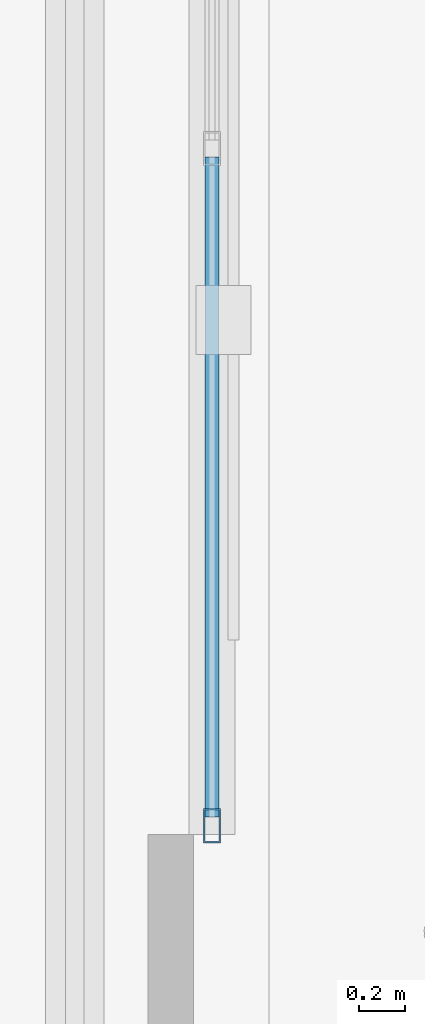
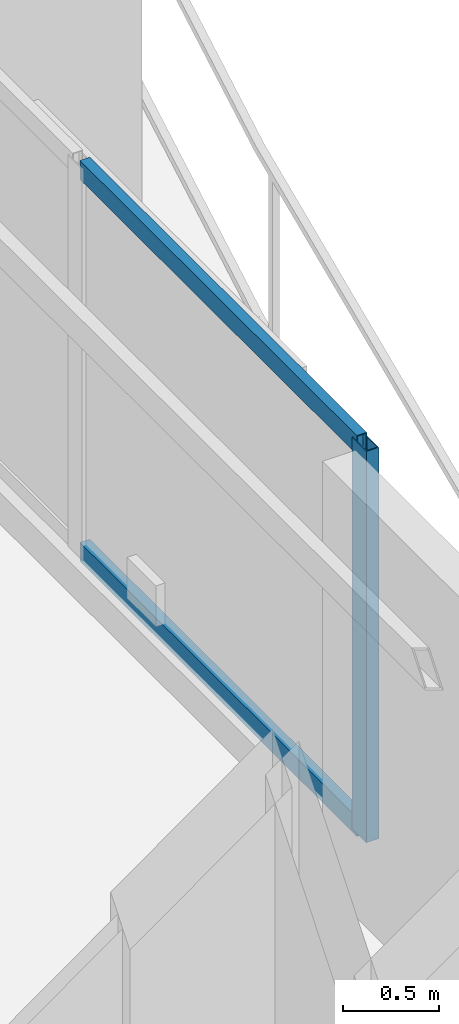
# One storey, part 6 of 22: 3 members, 1 element without a shape of its own.
"""IFC4 building model written with IfcOpenShell, lengths in metres."""

from ifc_helpers import new_model, si_unit, direction, frame, origin, origin_2d, place, context, subcontext, project, spatial, hollow_rectangle, extrude, material, layer, layer_set, material_profile, profile_set, type_object, element, aggregate, save


model = new_model("IFC4")

# Units and contexts
model_context = context("Model", 3, precision=1e-05, world=origin(), true_north=direction((0.0, 1.0)))
body_context = subcontext(model_context, "Body", "Model", "MODEL_VIEW")
ifc_project = project(units=[si_unit("LENGTHUNIT", "METRE"), si_unit("AREAUNIT", "SQUARE_METRE"), si_unit("VOLUMEUNIT", "CUBIC_METRE"), si_unit("PLANEANGLEUNIT", "RADIAN"), si_unit("MASSUNIT", "GRAM", prefix="KILO")], contexts=[model_context])

# Site, building, storey
site_placement = place(None, origin())
site = spatial("IfcSite", under=ifc_project, at=site_placement, CompositionType="ELEMENT")
building_placement = place(site_placement, origin())
building = spatial("IfcBuilding", under=site, at=building_placement, Name="Mersakhor Tower and Convention Hall", CompositionType="ELEMENT")
storey_placement = place(building_placement, frame((0.0, 0.0, 208.5)))
storey = spatial("IfcBuildingStorey", under=building, at=storey_placement, Name="L58", CompositionType="ELEMENT", Elevation=208.5)

# Curtain wall, members
ifc_material_1 = material(Name="Dark solar low-E aluminium curtain wall", Category="aluminium")
ifc_layer = layer(ifc_material_1, 0.169921875)
ifc_layer_set = layer_set([ifc_layer], Name="Dark solar low-E aluminium curtain wall")
curtain_wall_type = type_object("IfcCurtainWallType", Name="CW-SYS-02", PredefinedType="USERDEFINED", material=ifc_layer_set)
curtain_wall_placement = place(storey_placement, origin())
curtain_wall = element("IfcCurtainWall", 1, at=curtain_wall_placement, inside=storey, type_object=curtain_wall_type, Name="L58 Dark-Glass Curtain Wall F2-B2", ObjectType="CURTAIN WALL", PredefinedType="USERDEFINED")
ifc_material_2 = material(Name="Anodised aluminium EN AW-6063 T6", Category="aluminium")
ifc_material_profile_1 = material_profile(ifc_material_2, hollow_rectangle(XDim=0.074951171875, YDim=0.14990234375, WallThickness=0.00634765625, at=origin_2d()), Name="RHS 150x75x6.3")
ifc_profile_set_1 = profile_set([ifc_material_profile_1], Name="Anodised aluminium EN AW-6063 T6")
member_type_1 = type_object("IfcMemberType", Name="CWM-150x75", PredefinedType="MULLION", material=ifc_profile_set_1)
member_1_placement = place(storey_placement, frame((40.58837890625, 22.2880859375, 0.199951171875), z_axis=(0.0, 0.0, 1.0), x_axis=(1.0, 0.0, 0.0)))
member_1 = element("IfcMember", 2, at=member_1_placement, type_object=member_type_1, Name="CW-02 mullion 4", PredefinedType="MULLION", context=body_context, shape_type="SweptSolid", body=[
    extrude(hollow_rectangle(XDim=0.074951171875, YDim=0.14990234375, WallThickness=0.00634765625, at=origin_2d()), origin(), (0.0, 0.0, 1.0), 2.489990234375),
])
ifc_material_3 = material(Name="Anodised aluminium EN AW-6063 T6", Category="aluminium")
ifc_material_profile_2 = material_profile(ifc_material_3, hollow_rectangle(XDim=0.06005859375, YDim=0.1201171875, WallThickness=0.0048828125, at=origin_2d()), Name="RHS 120x60x5")
ifc_profile_set_2 = profile_set([ifc_material_profile_2], Name="Anodised aluminium EN AW-6063 T6")
member_type_2 = type_object("IfcMemberType", Name="CWT-120x60", PredefinedType="USERDEFINED", material=ifc_profile_set_2)
member_2_placement = place(storey_placement, frame((40.58837890625, 25.212646484375, 0.22998046875), z_axis=(0.0, -1.0, 0.0), x_axis=(1.0, 0.0, 0.0)))
member_2 = element("IfcMember", 3, at=member_2_placement, type_object=member_type_2, Name="CW-02 transom 3.1", ObjectType="TRANSOM", PredefinedType="USERDEFINED", context=body_context, shape_type="SweptSolid", body=[
    extrude(hollow_rectangle(XDim=0.06005859375, YDim=0.1201171875, WallThickness=0.0048828125, at=origin_2d()), origin(), (0.0, 0.0, 1.0), 2.88720703125),
])
member_3_placement = place(storey_placement, frame((40.58837890625, 25.212646484375, 2.659912109375), z_axis=(0.0, -1.0, 0.0), x_axis=(1.0, 0.0, 0.0)))
member_3 = element("IfcMember", 4, at=member_3_placement, type_object=member_type_2, Name="CW-02 transom 3.2", ObjectType="TRANSOM", PredefinedType="USERDEFINED", context=body_context, shape_type="SweptSolid", body=[
    extrude(hollow_rectangle(XDim=0.06005859375, YDim=0.1201171875, WallThickness=0.0048828125, at=origin_2d()), origin(), (0.0, 0.0, 1.0), 2.88720703125),
])
aggregate(curtain_wall, [member_1, member_2, member_3])

save(model, "model.ifc")
